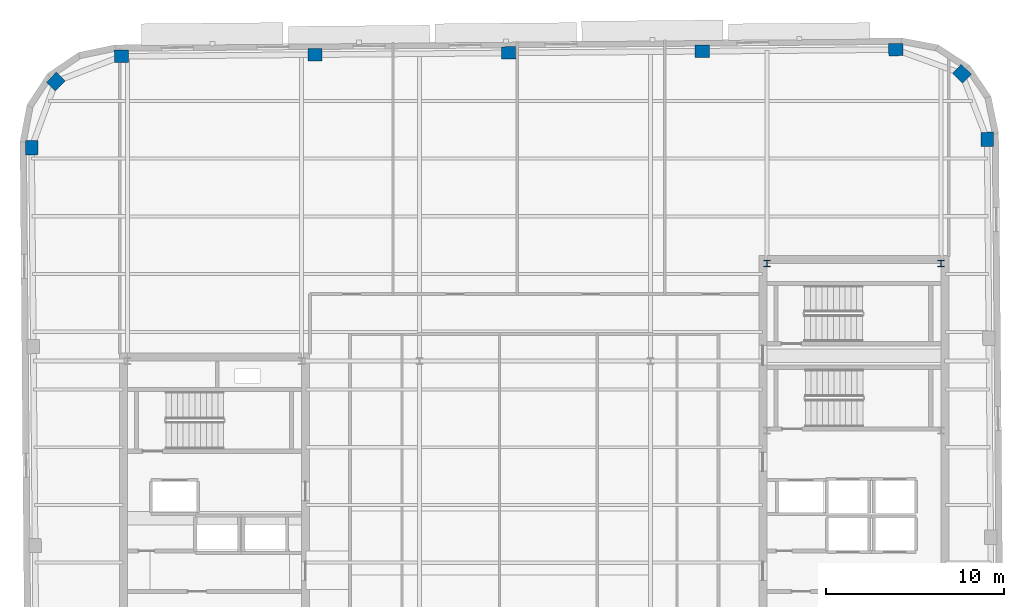
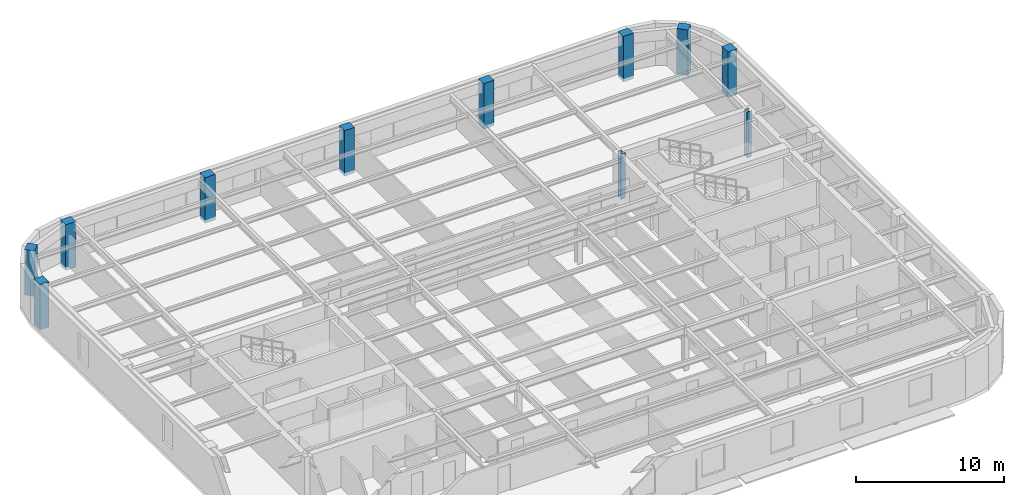
# One storey, part 3 of 14: 11 columns.
"""IFC4 building model written with IfcOpenShell, lengths in metres."""

from ifc_helpers import new_model, si_unit, direction, frame, origin, origin_2d, place, context, subcontext, project, spatial, rectangle, i_section, extrude, material, material_profile, profile_set, type_object, element, save


model = new_model("IFC4")

# Units and contexts
model_context = context("Model", 3, precision=1e-05, world=origin(), true_north=direction((0.0, 1.0)))
body_context = subcontext(model_context, "Body", "Model", "MODEL_VIEW")
ifc_project = project(units=[si_unit("LENGTHUNIT", "METRE"), si_unit("AREAUNIT", "SQUARE_METRE"), si_unit("VOLUMEUNIT", "CUBIC_METRE"), si_unit("PLANEANGLEUNIT", "RADIAN"), si_unit("MASSUNIT", "GRAM", prefix="KILO")], contexts=[model_context])

# Site, building, storey
site_placement = place(None, origin())
site = spatial("IfcSite", under=ifc_project, at=site_placement, CompositionType="ELEMENT")
building_placement = place(site_placement, origin())
building = spatial("IfcBuilding", under=site, at=building_placement, Name="Kolvaren Arena Tower", CompositionType="ELEMENT")
storey_placement = place(building_placement, frame((0.0, 0.0, 297.39990234375)))
storey = spatial("IfcBuildingStorey", under=building, at=storey_placement, Name="L73", CompositionType="ELEMENT", Elevation=297.39990234375)

# Columns
ifc_material_1 = material(Name="Precast concrete C50/60", Category="concrete")
ifc_material_profile_1 = material_profile(ifc_material_1, rectangle(XDim=0.800048828125, YDim=0.699951171875, at=origin_2d()), Name="RC-800x700")
ifc_profile_set_1 = profile_set([ifc_material_profile_1], Name="Precast concrete C50/60")
column_type_1 = type_object("IfcColumnType", Name="EXCOL-Z5", PredefinedType="COLUMN", material=ifc_profile_set_1)
for number, where, z_axis, x_axis, name in (
    (1, (62.952392578125, 46.333984375, -0.27001953125), (0.0, 0.0, 1.0), (-0.008726535498, 0.999961923064, 0.0), "Exoskeleton Perimeter Column 10 (L73)"),
    (2, (61.52880859375, 50.030517578125, -0.27001953125), (0.0, 0.0, 1.0), (-0.713250449154, 0.7009092643, 0.0), "Exoskeleton Perimeter Column 11 (L73)"),
    (3, (57.80810546875, 51.389404296875, -0.27001953125), (0.0, 0.0, 1.0), (0.999961923064, 0.008726535498, 0.0), "Exoskeleton Perimeter Column 12 (L73)"),
    (4, (46.908447265625, 51.294189453125, -0.27001953125), (0.0, 0.0, 1.0), (0.999961923064, 0.008726535498, 0.0), "Exoskeleton Perimeter Column 13 (L73)"),
    (5, (36.0087890625, 51.19921875, -0.27001953125), (0.0, 0.0, 1.0), (0.999961923064, 0.008726535498, 0.0), "Exoskeleton Perimeter Column 14 (L73)"),
    (6, (25.109375, 51.10400390625, -0.27001953125), (0.0, 0.0, 1.0), (0.999961923064, 0.008726535498, 0.0), "Exoskeleton Perimeter Column 15 (L73)"),
    (7, (14.209716796875, 51.0087890625, -0.27001953125), (0.0, 0.0, 1.0), (0.999961923064, 0.008726535498, 0.0), "Exoskeleton Perimeter Column 16 (L73)"),
    (8, (10.51318359375, 49.58544921875, -0.27001953125), (0.0, 0.0, 1.0), (0.7009092643, 0.713250449154, 0.0), "Exoskeleton Perimeter Column 17 (L73)"),
    (9, (9.154296875, 45.864501953125, -0.27001953125), (0.0, 0.0, 1.0), (-0.008726535498, 0.999961923064, 0.0), "Exoskeleton Perimeter Column 18 (L73)"),
):
    element("IfcColumn", number, at=place(storey_placement, frame(where, z_axis=z_axis, x_axis=x_axis)), inside=storey, type_object=column_type_1, Name=name, PredefinedType="COLUMN", context=body_context, shape_type="SweptSolid", body=[
        extrude(rectangle(XDim=0.800048828125, YDim=0.699951171875, at=origin_2d()), origin(), (0.0, 0.0, 1.0), 3.75),
    ])
ifc_material_2 = material(Name="Steel ASTM A913 Grade 65", Category="steel")
ifc_material_profile_2 = material_profile(ifc_material_2, i_section(OverallWidth=0.3740234375, OverallDepth=0.3720703125, WebThickness=0.016357421875, FlangeThickness=0.026123046875, FilletRadius=0.02001953125, at=origin_2d()), Name="W360x196")
ifc_profile_set_2 = profile_set([ifc_material_profile_2], Name="Steel ASTM A913 Grade 65")
column_type_2 = type_object("IfcColumnType", Name="SCOL-Z5", PredefinedType="COLUMN", material=ifc_profile_set_2)
for number, where, z_axis, x_axis, name in (
    (10, (50.550048828125, 39.35009765625, -0.27001953125), (0.0, 0.0, 1.0), (1.0, 0.0, 0.0), "Core Boundary Column EC-NW (L73)"),
    (11, (60.35009765625, 39.35009765625, -0.27001953125), (0.0, 0.0, 1.0), (1.0, 0.0, 0.0), "Core Boundary Column EC-NE (L73)"),
):
    element("IfcColumn", number, at=place(storey_placement, frame(where, z_axis=z_axis, x_axis=x_axis)), inside=storey, type_object=column_type_2, Name=name, PredefinedType="COLUMN", context=body_context, shape_type="SweptSolid", body=[
        extrude(i_section(OverallWidth=0.3740234375, OverallDepth=0.3720703125, WebThickness=0.016357421875, FlangeThickness=0.026123046875, FilletRadius=0.02001953125, at=origin_2d()), origin(), (0.0, 0.0, 1.0), 3.75),
    ])

save(model, "model.ifc")
